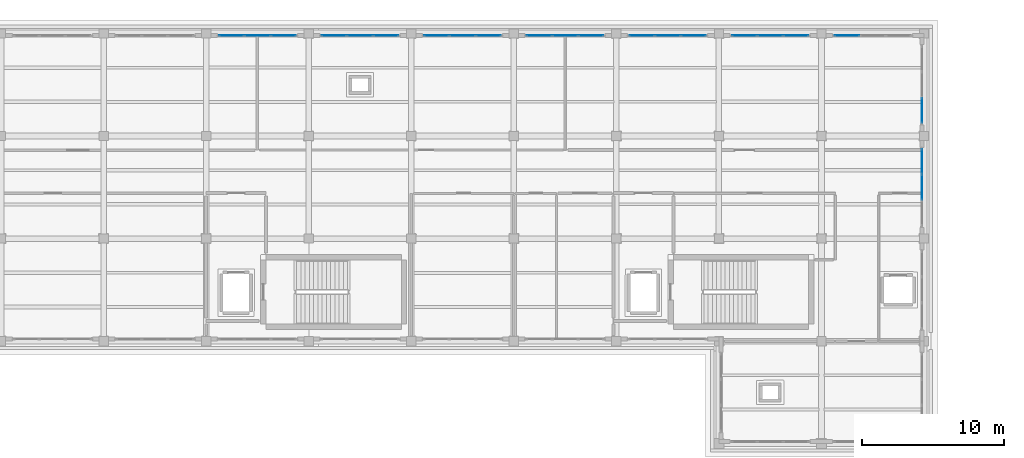
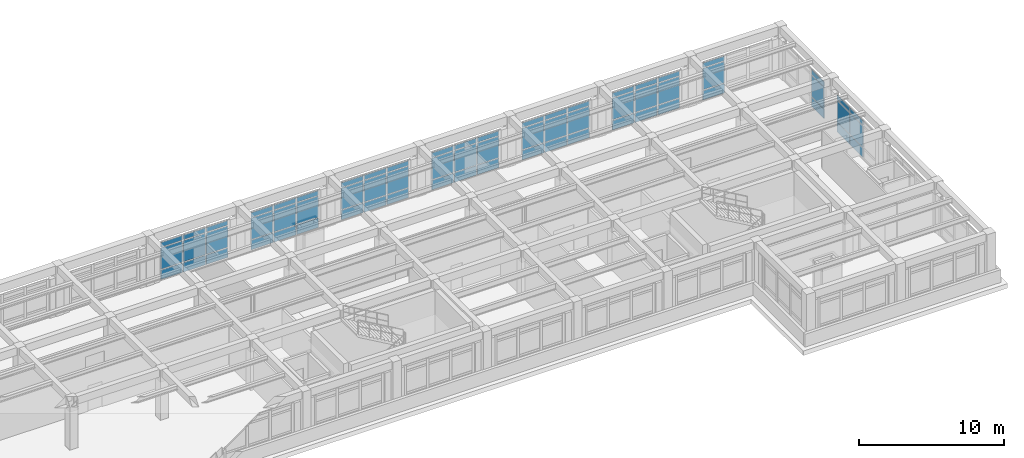
# One storey, part 41 of 55: 66 plates, 9 elements without a shape of their own.
"""IFC4 building model written with IfcOpenShell, lengths in metres."""

from ifc_helpers import new_model, si_unit, direction, frame, origin, origin_2d, place, context, subcontext, project, spatial, rectangle, extrude, material, layer, layer_set, type_object, element, aggregate, save


model = new_model("IFC4")

# Units and contexts
model_context = context("Model", 3, precision=1e-05, world=origin(), true_north=direction((0.0, 1.0)))
body_context = subcontext(model_context, "Body", "Model", "MODEL_VIEW")
ifc_project = project(units=[si_unit("LENGTHUNIT", "METRE"), si_unit("AREAUNIT", "SQUARE_METRE"), si_unit("VOLUMEUNIT", "CUBIC_METRE"), si_unit("PLANEANGLEUNIT", "RADIAN"), si_unit("MASSUNIT", "GRAM", prefix="KILO")], contexts=[model_context])

# Site, building, storey
site_placement = place(None, origin())
site = spatial("IfcSite", under=ifc_project, at=site_placement, CompositionType="ELEMENT")
building_placement = place(site_placement, origin())
building = spatial("IfcBuilding", under=site, at=building_placement, Name="Solenvale Faculty of Natural Sciences", CompositionType="ELEMENT")
storey_placement = place(building_placement, frame((0.0, 0.0, 22.5)))
storey = spatial("IfcBuildingStorey", under=building, at=storey_placement, Name="L05", CompositionType="ELEMENT", Elevation=22.5)

# Curtain wall, plates
ifc_material_1 = material(Name="Anodised bronze aluminium", Category="aluminium")
ifc_layer_1 = layer(ifc_material_1, 0.179931640625)
ifc_layer_set_1 = layer_set([ifc_layer_1], Name="Anodised bronze aluminium")
curtain_wall_type = type_object("IfcCurtainWallType", Name="CW-TWR-MOD", PredefinedType="USERDEFINED", material=ifc_layer_set_1)
curtain_wall_1_placement = place(storey_placement, origin())
curtain_wall_1 = element("IfcCurtainWall", 1, at=curtain_wall_1_placement, inside=storey, type_object=curtain_wall_type, Name="L05 Curtain Wall CW-L05-P2-E3-B7", ObjectType="UNITISED CURTAIN WALL", PredefinedType="USERDEFINED")
ifc_material_2 = material(Name="North-light skylight glass", Category="glass")
ifc_layer_2 = layer(ifc_material_2, 0.028076171875)
ifc_layer_set_2 = layer_set([ifc_layer_2], Name="North-light skylight glass")
plate_type_1 = type_object("IfcPlateType", Name="CWP-PNL-28", PredefinedType="CURTAIN_PANEL", material=ifc_layer_set_2)
plate_1_placement = place(storey_placement, frame((106.214599609375, 115.0576171875, 0.074951171875), z_axis=(0.0, 0.0, 1.0), x_axis=(-1.0, 0.0, 0.0)))
plate_1 = element("IfcPlate", 2, at=plate_1_placement, type_object=plate_type_1, Name="CW-04 panel 1.1", PredefinedType="CURTAIN_PANEL", context=body_context, shape_type="SweptSolid", body=[
    extrude(rectangle(XDim=1.720947265625, YDim=0.028076171875, at=origin_2d()), origin(), (0.0, 0.0, 1.0), 0.78759765625),
])
plate_2_placement = place(storey_placement, frame((106.214599609375, 115.0576171875, 0.9375), z_axis=(0.0, 0.0, 1.0), x_axis=(-1.0, 0.0, 0.0)))
plate_2 = element("IfcPlate", 3, at=plate_2_placement, type_object=plate_type_1, Name="CW-04 panel 1.2", PredefinedType="CURTAIN_PANEL", context=body_context, shape_type="SweptSolid", body=[
    extrude(rectangle(XDim=1.720947265625, YDim=0.028076171875, at=origin_2d()), origin(), (0.0, 0.0, 1.0), 1.784912109375),
])
plate_3_placement = place(storey_placement, frame((106.214599609375, 115.0576171875, 2.79736328125), z_axis=(0.0, 0.0, 1.0), x_axis=(-1.0, 0.0, 0.0)))
plate_3 = element("IfcPlate", 4, at=plate_3_placement, type_object=plate_type_1, Name="CW-04 panel 1.3", PredefinedType="CURTAIN_PANEL", context=body_context, shape_type="SweptSolid", body=[
    extrude(rectangle(XDim=1.720947265625, YDim=0.028076171875, at=origin_2d()), origin(), (0.0, 0.0, 1.0), 0.387451171875),
])
plate_4_placement = place(storey_placement, frame((104.39990234375, 115.0576171875, 0.074951171875), z_axis=(0.0, 0.0, 1.0), x_axis=(-1.0, 0.0, 0.0)))
plate_4 = element("IfcPlate", 5, at=plate_4_placement, type_object=plate_type_1, Name="CW-04 panel 2.1", PredefinedType="CURTAIN_PANEL", context=body_context, shape_type="SweptSolid", body=[
    extrude(rectangle(XDim=1.75830078125, YDim=0.028076171875, at=origin_2d()), origin(), (0.0, 0.0, 1.0), 0.78759765625),
])
plate_5_placement = place(storey_placement, frame((104.39990234375, 115.0576171875, 0.9375), z_axis=(0.0, 0.0, 1.0), x_axis=(-1.0, 0.0, 0.0)))
plate_5 = element("IfcPlate", 6, at=plate_5_placement, type_object=plate_type_1, Name="CW-04 panel 2.2", PredefinedType="CURTAIN_PANEL", context=body_context, shape_type="SweptSolid", body=[
    extrude(rectangle(XDim=1.75830078125, YDim=0.028076171875, at=origin_2d()), origin(), (0.0, 0.0, 1.0), 1.784912109375),
])
plate_6_placement = place(storey_placement, frame((104.39990234375, 115.0576171875, 2.79736328125), z_axis=(0.0, 0.0, 1.0), x_axis=(-1.0, 0.0, 0.0)))
plate_6 = element("IfcPlate", 7, at=plate_6_placement, type_object=plate_type_1, Name="CW-04 panel 2.3", PredefinedType="CURTAIN_PANEL", context=body_context, shape_type="SweptSolid", body=[
    extrude(rectangle(XDim=1.75830078125, YDim=0.028076171875, at=origin_2d()), origin(), (0.0, 0.0, 1.0), 0.387451171875),
])
plate_7_placement = place(storey_placement, frame((102.58544921875, 115.0576171875, 0.074951171875), z_axis=(0.0, 0.0, 1.0), x_axis=(-1.0, 0.0, 0.0)))
plate_7 = element("IfcPlate", 8, at=plate_7_placement, type_object=plate_type_1, Name="CW-04 panel 3.1", PredefinedType="CURTAIN_PANEL", context=body_context, shape_type="SweptSolid", body=[
    extrude(rectangle(XDim=1.720947265625, YDim=0.028076171875, at=origin_2d()), origin(), (0.0, 0.0, 1.0), 0.78759765625),
])
plate_8_placement = place(storey_placement, frame((102.58544921875, 115.0576171875, 0.9375), z_axis=(0.0, 0.0, 1.0), x_axis=(-1.0, 0.0, 0.0)))
plate_8 = element("IfcPlate", 9, at=plate_8_placement, type_object=plate_type_1, Name="CW-04 panel 3.2", PredefinedType="CURTAIN_PANEL", context=body_context, shape_type="SweptSolid", body=[
    extrude(rectangle(XDim=1.720947265625, YDim=0.028076171875, at=origin_2d()), origin(), (0.0, 0.0, 1.0), 1.784912109375),
])
plate_9_placement = place(storey_placement, frame((102.58544921875, 115.0576171875, 2.79736328125), z_axis=(0.0, 0.0, 1.0), x_axis=(-1.0, 0.0, 0.0)))
plate_9 = element("IfcPlate", 10, at=plate_9_placement, type_object=plate_type_1, Name="CW-04 panel 3.3", PredefinedType="CURTAIN_PANEL", context=body_context, shape_type="SweptSolid", body=[
    extrude(rectangle(XDim=1.720947265625, YDim=0.028076171875, at=origin_2d()), origin(), (0.0, 0.0, 1.0), 0.387451171875),
])
aggregate(curtain_wall_1, [plate_1, plate_2, plate_3, plate_4, plate_5, plate_6, plate_7, plate_8, plate_9])

curtain_wall_2_placement = place(storey_placement, origin())
curtain_wall_2 = element("IfcCurtainWall", 11, at=curtain_wall_2_placement, inside=storey, type_object=curtain_wall_type, Name="L05 Curtain Wall CW-L05-P2-E2-B2", ObjectType="UNITISED CURTAIN WALL", PredefinedType="USERDEFINED")
ifc_material_3 = material(Name="Triple low-E insulated glass", Category="glass")
ifc_layer_3 = layer(ifc_material_3, 0.035888671875)
ifc_layer_set_3 = layer_set([ifc_layer_3], Name="Triple low-E insulated glass")
plate_type_2 = type_object("IfcPlateType", Name="CWP-PNL-36", PredefinedType="CURTAIN_PANEL", material=ifc_layer_set_3)
plate_10_placement = place(storey_placement, frame((151.0576171875, 104.39990234375, 0.074951171875), z_axis=(0.0, 0.0, 1.0), x_axis=(0.0, 1.0, 0.0)))
plate_10 = element("IfcPlate", 12, at=plate_10_placement, type_object=plate_type_2, Name="CW-04 panel 2.1", PredefinedType="CURTAIN_PANEL", context=body_context, shape_type="SweptSolid", body=[
    extrude(rectangle(XDim=1.75830078125, YDim=0.035888671875, at=origin_2d()), origin(), (0.0, 0.0, 1.0), 0.78759765625),
])
plate_11_placement = place(storey_placement, frame((151.0576171875, 104.39990234375, 0.9375), z_axis=(0.0, 0.0, 1.0), x_axis=(0.0, 1.0, 0.0)))
plate_11 = element("IfcPlate", 13, at=plate_11_placement, type_object=plate_type_2, Name="CW-04 panel 2.2", PredefinedType="CURTAIN_PANEL", context=body_context, shape_type="SweptSolid", body=[
    extrude(rectangle(XDim=1.75830078125, YDim=0.035888671875, at=origin_2d()), origin(), (0.0, 0.0, 1.0), 1.784912109375),
])
plate_12_placement = place(storey_placement, frame((151.0576171875, 104.39990234375, 2.79736328125), z_axis=(0.0, 0.0, 1.0), x_axis=(0.0, 1.0, 0.0)))
plate_12 = element("IfcPlate", 14, at=plate_12_placement, type_object=plate_type_2, Name="CW-04 panel 2.3", PredefinedType="CURTAIN_PANEL", context=body_context, shape_type="SweptSolid", body=[
    extrude(rectangle(XDim=1.75830078125, YDim=0.035888671875, at=origin_2d()), origin(), (0.0, 0.0, 1.0), 0.387451171875),
])
plate_13_placement = place(storey_placement, frame((151.0576171875, 106.214599609375, 0.074951171875), z_axis=(0.0, 0.0, 1.0), x_axis=(0.0, 1.0, 0.0)))
plate_13 = element("IfcPlate", 15, at=plate_13_placement, type_object=plate_type_2, Name="CW-04 panel 3.1", PredefinedType="CURTAIN_PANEL", context=body_context, shape_type="SweptSolid", body=[
    extrude(rectangle(XDim=1.720947265625, YDim=0.035888671875, at=origin_2d()), origin(), (0.0, 0.0, 1.0), 0.78759765625),
])
plate_14_placement = place(storey_placement, frame((151.0576171875, 106.214599609375, 0.9375), z_axis=(0.0, 0.0, 1.0), x_axis=(0.0, 1.0, 0.0)))
plate_14 = element("IfcPlate", 16, at=plate_14_placement, type_object=plate_type_2, Name="CW-04 panel 3.2", PredefinedType="CURTAIN_PANEL", context=body_context, shape_type="SweptSolid", body=[
    extrude(rectangle(XDim=1.720947265625, YDim=0.035888671875, at=origin_2d()), origin(), (0.0, 0.0, 1.0), 1.784912109375),
])
plate_15_placement = place(storey_placement, frame((151.0576171875, 106.214599609375, 2.79736328125), z_axis=(0.0, 0.0, 1.0), x_axis=(0.0, 1.0, 0.0)))
plate_15 = element("IfcPlate", 17, at=plate_15_placement, type_object=plate_type_2, Name="CW-04 panel 3.3", PredefinedType="CURTAIN_PANEL", context=body_context, shape_type="SweptSolid", body=[
    extrude(rectangle(XDim=1.720947265625, YDim=0.035888671875, at=origin_2d()), origin(), (0.0, 0.0, 1.0), 0.387451171875),
])
aggregate(curtain_wall_2, [plate_10, plate_11, plate_12, plate_13, plate_14, plate_15])

curtain_wall_3_placement = place(storey_placement, origin())
curtain_wall_3 = element("IfcCurtainWall", 18, at=curtain_wall_3_placement, inside=storey, type_object=curtain_wall_type, Name="L05 Curtain Wall CW-L05-P2-E3-B1", ObjectType="UNITISED CURTAIN WALL", PredefinedType="USERDEFINED")
plate_16_placement = place(storey_placement, frame((145.785400390625, 115.0576171875, 0.074951171875), z_axis=(0.0, 0.0, 1.0), x_axis=(-1.0, 0.0, 0.0)))
plate_16 = element("IfcPlate", 19, at=plate_16_placement, type_object=plate_type_2, Name="CW-04 panel 3.1", PredefinedType="CURTAIN_PANEL", context=body_context, shape_type="SweptSolid", body=[
    extrude(rectangle(XDim=1.720947265625, YDim=0.035888671875, at=origin_2d()), origin(), (0.0, 0.0, 1.0), 0.78759765625),
])
plate_17_placement = place(storey_placement, frame((145.785400390625, 115.0576171875, 0.9375), z_axis=(0.0, 0.0, 1.0), x_axis=(-1.0, 0.0, 0.0)))
plate_17 = element("IfcPlate", 20, at=plate_17_placement, type_object=plate_type_2, Name="CW-04 panel 3.2", PredefinedType="CURTAIN_PANEL", context=body_context, shape_type="SweptSolid", body=[
    extrude(rectangle(XDim=1.720947265625, YDim=0.035888671875, at=origin_2d()), origin(), (0.0, 0.0, 1.0), 1.784912109375),
])
plate_18_placement = place(storey_placement, frame((145.785400390625, 115.0576171875, 2.79736328125), z_axis=(0.0, 0.0, 1.0), x_axis=(-1.0, 0.0, 0.0)))
plate_18 = element("IfcPlate", 21, at=plate_18_placement, type_object=plate_type_2, Name="CW-04 panel 3.3", PredefinedType="CURTAIN_PANEL", context=body_context, shape_type="SweptSolid", body=[
    extrude(rectangle(XDim=1.720947265625, YDim=0.035888671875, at=origin_2d()), origin(), (0.0, 0.0, 1.0), 0.387451171875),
])
aggregate(curtain_wall_3, [plate_16, plate_17, plate_18])

curtain_wall_4_placement = place(storey_placement, origin())
curtain_wall_4 = element("IfcCurtainWall", 22, at=curtain_wall_4_placement, inside=storey, type_object=curtain_wall_type, Name="L05 Curtain Wall CW-L05-P2-E2-B3", ObjectType="UNITISED CURTAIN WALL", PredefinedType="USERDEFINED")
ifc_layer_4 = layer(ifc_material_3, 0.0400390625)
ifc_layer_set_4 = layer_set([ifc_layer_4], Name="Triple low-E insulated glass")
plate_type_3 = type_object("IfcPlateType", Name="CWP-PNL-40", PredefinedType="CURTAIN_PANEL", material=ifc_layer_set_4)
plate_19_placement = place(storey_placement, frame((151.0576171875, 109.785400390625, 0.074951171875), z_axis=(0.0, 0.0, 1.0), x_axis=(0.0, 1.0, 0.0)))
plate_19 = element("IfcPlate", 23, at=plate_19_placement, type_object=plate_type_3, Name="CW-04 panel 1.1", PredefinedType="CURTAIN_PANEL", context=body_context, shape_type="SweptSolid", body=[
    extrude(rectangle(XDim=1.720947265625, YDim=0.0400390625, at=origin_2d()), origin(), (0.0, 0.0, 1.0), 0.78759765625),
])
plate_20_placement = place(storey_placement, frame((151.0576171875, 109.785400390625, 0.9375), z_axis=(0.0, 0.0, 1.0), x_axis=(0.0, 1.0, 0.0)))
plate_20 = element("IfcPlate", 24, at=plate_20_placement, type_object=plate_type_3, Name="CW-04 panel 1.2", PredefinedType="CURTAIN_PANEL", context=body_context, shape_type="SweptSolid", body=[
    extrude(rectangle(XDim=1.720947265625, YDim=0.0400390625, at=origin_2d()), origin(), (0.0, 0.0, 1.0), 1.784912109375),
])
plate_21_placement = place(storey_placement, frame((151.0576171875, 109.785400390625, 2.79736328125), z_axis=(0.0, 0.0, 1.0), x_axis=(0.0, 1.0, 0.0)))
plate_21 = element("IfcPlate", 25, at=plate_21_placement, type_object=plate_type_3, Name="CW-04 panel 1.3", PredefinedType="CURTAIN_PANEL", context=body_context, shape_type="SweptSolid", body=[
    extrude(rectangle(XDim=1.720947265625, YDim=0.0400390625, at=origin_2d()), origin(), (0.0, 0.0, 1.0), 0.387451171875),
])
aggregate(curtain_wall_4, [plate_19, plate_20, plate_21])

curtain_wall_5_placement = place(storey_placement, origin())
curtain_wall_5 = element("IfcCurtainWall", 26, at=curtain_wall_5_placement, inside=storey, type_object=curtain_wall_type, Name="L05 Curtain Wall CW-L05-P2-E3-B2", ObjectType="UNITISED CURTAIN WALL", PredefinedType="USERDEFINED")
plate_22_placement = place(storey_placement, frame((142.214599609375, 115.0576171875, 0.074951171875), z_axis=(0.0, 0.0, 1.0), x_axis=(-1.0, 0.0, 0.0)))
plate_22 = element("IfcPlate", 27, at=plate_22_placement, type_object=plate_type_3, Name="CW-04 panel 1.1", PredefinedType="CURTAIN_PANEL", context=body_context, shape_type="SweptSolid", body=[
    extrude(rectangle(XDim=1.720947265625, YDim=0.0400390625, at=origin_2d()), origin(), (0.0, 0.0, 1.0), 0.78759765625),
])
plate_23_placement = place(storey_placement, frame((142.214599609375, 115.0576171875, 0.9375), z_axis=(0.0, 0.0, 1.0), x_axis=(-1.0, 0.0, 0.0)))
plate_23 = element("IfcPlate", 28, at=plate_23_placement, type_object=plate_type_3, Name="CW-04 panel 1.2", PredefinedType="CURTAIN_PANEL", context=body_context, shape_type="SweptSolid", body=[
    extrude(rectangle(XDim=1.720947265625, YDim=0.0400390625, at=origin_2d()), origin(), (0.0, 0.0, 1.0), 1.784912109375),
])
plate_24_placement = place(storey_placement, frame((142.214599609375, 115.0576171875, 2.79736328125), z_axis=(0.0, 0.0, 1.0), x_axis=(-1.0, 0.0, 0.0)))
plate_24 = element("IfcPlate", 29, at=plate_24_placement, type_object=plate_type_3, Name="CW-04 panel 1.3", PredefinedType="CURTAIN_PANEL", context=body_context, shape_type="SweptSolid", body=[
    extrude(rectangle(XDim=1.720947265625, YDim=0.0400390625, at=origin_2d()), origin(), (0.0, 0.0, 1.0), 0.387451171875),
])
plate_25_placement = place(storey_placement, frame((140.39990234375, 115.0576171875, 0.074951171875), z_axis=(0.0, 0.0, 1.0), x_axis=(-1.0, 0.0, 0.0)))
plate_25 = element("IfcPlate", 30, at=plate_25_placement, type_object=plate_type_3, Name="CW-04 panel 2.1", PredefinedType="CURTAIN_PANEL", context=body_context, shape_type="SweptSolid", body=[
    extrude(rectangle(XDim=1.75830078125, YDim=0.0400390625, at=origin_2d()), origin(), (0.0, 0.0, 1.0), 0.78759765625),
])
plate_26_placement = place(storey_placement, frame((140.39990234375, 115.0576171875, 0.9375), z_axis=(0.0, 0.0, 1.0), x_axis=(-1.0, 0.0, 0.0)))
plate_26 = element("IfcPlate", 31, at=plate_26_placement, type_object=plate_type_3, Name="CW-04 panel 2.2", PredefinedType="CURTAIN_PANEL", context=body_context, shape_type="SweptSolid", body=[
    extrude(rectangle(XDim=1.75830078125, YDim=0.0400390625, at=origin_2d()), origin(), (0.0, 0.0, 1.0), 1.784912109375),
])
plate_27_placement = place(storey_placement, frame((140.39990234375, 115.0576171875, 2.79736328125), z_axis=(0.0, 0.0, 1.0), x_axis=(-1.0, 0.0, 0.0)))
plate_27 = element("IfcPlate", 32, at=plate_27_placement, type_object=plate_type_3, Name="CW-04 panel 2.3", PredefinedType="CURTAIN_PANEL", context=body_context, shape_type="SweptSolid", body=[
    extrude(rectangle(XDim=1.75830078125, YDim=0.0400390625, at=origin_2d()), origin(), (0.0, 0.0, 1.0), 0.387451171875),
])
plate_28_placement = place(storey_placement, frame((138.58544921875, 115.0576171875, 0.074951171875), z_axis=(0.0, 0.0, 1.0), x_axis=(-1.0, 0.0, 0.0)))
plate_28 = element("IfcPlate", 33, at=plate_28_placement, type_object=plate_type_3, Name="CW-04 panel 3.1", PredefinedType="CURTAIN_PANEL", context=body_context, shape_type="SweptSolid", body=[
    extrude(rectangle(XDim=1.720947265625, YDim=0.0400390625, at=origin_2d()), origin(), (0.0, 0.0, 1.0), 0.78759765625),
])
plate_29_placement = place(storey_placement, frame((138.58544921875, 115.0576171875, 0.9375), z_axis=(0.0, 0.0, 1.0), x_axis=(-1.0, 0.0, 0.0)))
plate_29 = element("IfcPlate", 34, at=plate_29_placement, type_object=plate_type_3, Name="CW-04 panel 3.2", PredefinedType="CURTAIN_PANEL", context=body_context, shape_type="SweptSolid", body=[
    extrude(rectangle(XDim=1.720947265625, YDim=0.0400390625, at=origin_2d()), origin(), (0.0, 0.0, 1.0), 1.784912109375),
])
plate_30_placement = place(storey_placement, frame((138.58544921875, 115.0576171875, 2.79736328125), z_axis=(0.0, 0.0, 1.0), x_axis=(-1.0, 0.0, 0.0)))
plate_30 = element("IfcPlate", 35, at=plate_30_placement, type_object=plate_type_3, Name="CW-04 panel 3.3", PredefinedType="CURTAIN_PANEL", context=body_context, shape_type="SweptSolid", body=[
    extrude(rectangle(XDim=1.720947265625, YDim=0.0400390625, at=origin_2d()), origin(), (0.0, 0.0, 1.0), 0.387451171875),
])
aggregate(curtain_wall_5, [plate_22, plate_23, plate_24, plate_25, plate_26, plate_27, plate_28, plate_29, plate_30])

curtain_wall_6_placement = place(storey_placement, origin())
curtain_wall_6 = element("IfcCurtainWall", 36, at=curtain_wall_6_placement, inside=storey, type_object=curtain_wall_type, Name="L05 Curtain Wall CW-L05-P2-E3-B3", ObjectType="UNITISED CURTAIN WALL", PredefinedType="USERDEFINED")
ifc_layer_5 = layer(ifc_material_3, 0.0439453125)
ifc_layer_set_5 = layer_set([ifc_layer_5], Name="Triple low-E insulated glass")
plate_type_4 = type_object("IfcPlateType", Name="CWP-PNL-44", PredefinedType="CURTAIN_PANEL", material=ifc_layer_set_5)
plate_31_placement = place(storey_placement, frame((135.0146484375, 115.0576171875, 0.074951171875), z_axis=(0.0, 0.0, 1.0), x_axis=(-1.0, 0.0, 0.0)))
plate_31 = element("IfcPlate", 37, at=plate_31_placement, type_object=plate_type_4, Name="CW-04 panel 1.1", PredefinedType="CURTAIN_PANEL", context=body_context, shape_type="SweptSolid", body=[
    extrude(rectangle(XDim=1.720947265625, YDim=0.0439453125, at=origin_2d()), origin(), (0.0, 0.0, 1.0), 0.78759765625),
])
plate_32_placement = place(storey_placement, frame((135.0146484375, 115.0576171875, 0.9375), z_axis=(0.0, 0.0, 1.0), x_axis=(-1.0, 0.0, 0.0)))
plate_32 = element("IfcPlate", 38, at=plate_32_placement, type_object=plate_type_4, Name="CW-04 panel 1.2", PredefinedType="CURTAIN_PANEL", context=body_context, shape_type="SweptSolid", body=[
    extrude(rectangle(XDim=1.720947265625, YDim=0.0439453125, at=origin_2d()), origin(), (0.0, 0.0, 1.0), 1.784912109375),
])
plate_33_placement = place(storey_placement, frame((135.0146484375, 115.0576171875, 2.79736328125), z_axis=(0.0, 0.0, 1.0), x_axis=(-1.0, 0.0, 0.0)))
plate_33 = element("IfcPlate", 39, at=plate_33_placement, type_object=plate_type_4, Name="CW-04 panel 1.3", PredefinedType="CURTAIN_PANEL", context=body_context, shape_type="SweptSolid", body=[
    extrude(rectangle(XDim=1.720947265625, YDim=0.0439453125, at=origin_2d()), origin(), (0.0, 0.0, 1.0), 0.387451171875),
])
plate_34_placement = place(storey_placement, frame((133.199951171875, 115.0576171875, 0.074951171875), z_axis=(0.0, 0.0, 1.0), x_axis=(-1.0, 0.0, 0.0)))
plate_34 = element("IfcPlate", 40, at=plate_34_placement, type_object=plate_type_4, Name="CW-04 panel 2.1", PredefinedType="CURTAIN_PANEL", context=body_context, shape_type="SweptSolid", body=[
    extrude(rectangle(XDim=1.75830078125, YDim=0.0439453125, at=origin_2d()), origin(), (0.0, 0.0, 1.0), 0.78759765625),
])
plate_35_placement = place(storey_placement, frame((133.199951171875, 115.0576171875, 0.9375), z_axis=(0.0, 0.0, 1.0), x_axis=(-1.0, 0.0, 0.0)))
plate_35 = element("IfcPlate", 41, at=plate_35_placement, type_object=plate_type_4, Name="CW-04 panel 2.2", PredefinedType="CURTAIN_PANEL", context=body_context, shape_type="SweptSolid", body=[
    extrude(rectangle(XDim=1.75830078125, YDim=0.0439453125, at=origin_2d()), origin(), (0.0, 0.0, 1.0), 1.784912109375),
])
plate_36_placement = place(storey_placement, frame((133.199951171875, 115.0576171875, 2.79736328125), z_axis=(0.0, 0.0, 1.0), x_axis=(-1.0, 0.0, 0.0)))
plate_36 = element("IfcPlate", 42, at=plate_36_placement, type_object=plate_type_4, Name="CW-04 panel 2.3", PredefinedType="CURTAIN_PANEL", context=body_context, shape_type="SweptSolid", body=[
    extrude(rectangle(XDim=1.75830078125, YDim=0.0439453125, at=origin_2d()), origin(), (0.0, 0.0, 1.0), 0.387451171875),
])
plate_37_placement = place(storey_placement, frame((131.385498046875, 115.0576171875, 0.074951171875), z_axis=(0.0, 0.0, 1.0), x_axis=(-1.0, 0.0, 0.0)))
plate_37 = element("IfcPlate", 43, at=plate_37_placement, type_object=plate_type_4, Name="CW-04 panel 3.1", PredefinedType="CURTAIN_PANEL", context=body_context, shape_type="SweptSolid", body=[
    extrude(rectangle(XDim=1.720947265625, YDim=0.0439453125, at=origin_2d()), origin(), (0.0, 0.0, 1.0), 0.78759765625),
])
plate_38_placement = place(storey_placement, frame((131.385498046875, 115.0576171875, 0.9375), z_axis=(0.0, 0.0, 1.0), x_axis=(-1.0, 0.0, 0.0)))
plate_38 = element("IfcPlate", 44, at=plate_38_placement, type_object=plate_type_4, Name="CW-04 panel 3.2", PredefinedType="CURTAIN_PANEL", context=body_context, shape_type="SweptSolid", body=[
    extrude(rectangle(XDim=1.720947265625, YDim=0.0439453125, at=origin_2d()), origin(), (0.0, 0.0, 1.0), 1.784912109375),
])
plate_39_placement = place(storey_placement, frame((131.385498046875, 115.0576171875, 2.79736328125), z_axis=(0.0, 0.0, 1.0), x_axis=(-1.0, 0.0, 0.0)))
plate_39 = element("IfcPlate", 45, at=plate_39_placement, type_object=plate_type_4, Name="CW-04 panel 3.3", PredefinedType="CURTAIN_PANEL", context=body_context, shape_type="SweptSolid", body=[
    extrude(rectangle(XDim=1.720947265625, YDim=0.0439453125, at=origin_2d()), origin(), (0.0, 0.0, 1.0), 0.387451171875),
])
aggregate(curtain_wall_6, [plate_31, plate_32, plate_33, plate_34, plate_35, plate_36, plate_37, plate_38, plate_39])

curtain_wall_7_placement = place(storey_placement, origin())
curtain_wall_7 = element("IfcCurtainWall", 46, at=curtain_wall_7_placement, inside=storey, type_object=curtain_wall_type, Name="L05 Curtain Wall CW-L05-P2-E3-B4", ObjectType="UNITISED CURTAIN WALL", PredefinedType="USERDEFINED")
ifc_layer_6 = layer(ifc_material_1, 0.048095703125)
ifc_layer_set_6 = layer_set([ifc_layer_6], Name="Anodised bronze aluminium")
plate_type_5 = type_object("IfcPlateType", Name="CWP-PNL-48", PredefinedType="CURTAIN_PANEL", material=ifc_layer_set_6)
plate_40_placement = place(storey_placement, frame((127.814697265625, 115.0576171875, 0.074951171875), z_axis=(0.0, 0.0, 1.0), x_axis=(-1.0, 0.0, 0.0)))
plate_40 = element("IfcPlate", 47, at=plate_40_placement, type_object=plate_type_5, Name="CW-04 panel 1.1", PredefinedType="CURTAIN_PANEL", context=body_context, shape_type="SweptSolid", body=[
    extrude(rectangle(XDim=1.720947265625, YDim=0.048095703125, at=origin_2d()), origin(), (0.0, 0.0, 1.0), 0.78759765625),
])
plate_41_placement = place(storey_placement, frame((127.814697265625, 115.0576171875, 0.9375), z_axis=(0.0, 0.0, 1.0), x_axis=(-1.0, 0.0, 0.0)))
plate_41 = element("IfcPlate", 48, at=plate_41_placement, type_object=plate_type_5, Name="CW-04 panel 1.2", PredefinedType="CURTAIN_PANEL", context=body_context, shape_type="SweptSolid", body=[
    extrude(rectangle(XDim=1.720947265625, YDim=0.048095703125, at=origin_2d()), origin(), (0.0, 0.0, 1.0), 1.784912109375),
])
plate_42_placement = place(storey_placement, frame((127.814697265625, 115.0576171875, 2.79736328125), z_axis=(0.0, 0.0, 1.0), x_axis=(-1.0, 0.0, 0.0)))
plate_42 = element("IfcPlate", 49, at=plate_42_placement, type_object=plate_type_5, Name="CW-04 panel 1.3", PredefinedType="CURTAIN_PANEL", context=body_context, shape_type="SweptSolid", body=[
    extrude(rectangle(XDim=1.720947265625, YDim=0.048095703125, at=origin_2d()), origin(), (0.0, 0.0, 1.0), 0.387451171875),
])
plate_43_placement = place(storey_placement, frame((126.0, 115.0576171875, 0.074951171875), z_axis=(0.0, 0.0, 1.0), x_axis=(-1.0, 0.0, 0.0)))
plate_43 = element("IfcPlate", 50, at=plate_43_placement, type_object=plate_type_5, Name="CW-04 panel 2.1", PredefinedType="CURTAIN_PANEL", context=body_context, shape_type="SweptSolid", body=[
    extrude(rectangle(XDim=1.75830078125, YDim=0.048095703125, at=origin_2d()), origin(), (0.0, 0.0, 1.0), 0.78759765625),
])
plate_44_placement = place(storey_placement, frame((126.0, 115.0576171875, 0.9375), z_axis=(0.0, 0.0, 1.0), x_axis=(-1.0, 0.0, 0.0)))
plate_44 = element("IfcPlate", 51, at=plate_44_placement, type_object=plate_type_5, Name="CW-04 panel 2.2", PredefinedType="CURTAIN_PANEL", context=body_context, shape_type="SweptSolid", body=[
    extrude(rectangle(XDim=1.75830078125, YDim=0.048095703125, at=origin_2d()), origin(), (0.0, 0.0, 1.0), 1.784912109375),
])
plate_45_placement = place(storey_placement, frame((126.0, 115.0576171875, 2.79736328125), z_axis=(0.0, 0.0, 1.0), x_axis=(-1.0, 0.0, 0.0)))
plate_45 = element("IfcPlate", 52, at=plate_45_placement, type_object=plate_type_5, Name="CW-04 panel 2.3", PredefinedType="CURTAIN_PANEL", context=body_context, shape_type="SweptSolid", body=[
    extrude(rectangle(XDim=1.75830078125, YDim=0.048095703125, at=origin_2d()), origin(), (0.0, 0.0, 1.0), 0.387451171875),
])
plate_46_placement = place(storey_placement, frame((124.185302734375, 115.0576171875, 0.074951171875), z_axis=(0.0, 0.0, 1.0), x_axis=(-1.0, 0.0, 0.0)))
plate_46 = element("IfcPlate", 53, at=plate_46_placement, type_object=plate_type_5, Name="CW-04 panel 3.1", PredefinedType="CURTAIN_PANEL", context=body_context, shape_type="SweptSolid", body=[
    extrude(rectangle(XDim=1.720947265625, YDim=0.048095703125, at=origin_2d()), origin(), (0.0, 0.0, 1.0), 0.78759765625),
])
plate_47_placement = place(storey_placement, frame((124.185302734375, 115.0576171875, 0.9375), z_axis=(0.0, 0.0, 1.0), x_axis=(-1.0, 0.0, 0.0)))
plate_47 = element("IfcPlate", 54, at=plate_47_placement, type_object=plate_type_5, Name="CW-04 panel 3.2", PredefinedType="CURTAIN_PANEL", context=body_context, shape_type="SweptSolid", body=[
    extrude(rectangle(XDim=1.720947265625, YDim=0.048095703125, at=origin_2d()), origin(), (0.0, 0.0, 1.0), 1.784912109375),
])
plate_48_placement = place(storey_placement, frame((124.185302734375, 115.0576171875, 2.79736328125), z_axis=(0.0, 0.0, 1.0), x_axis=(-1.0, 0.0, 0.0)))
plate_48 = element("IfcPlate", 55, at=plate_48_placement, type_object=plate_type_5, Name="CW-04 panel 3.3", PredefinedType="CURTAIN_PANEL", context=body_context, shape_type="SweptSolid", body=[
    extrude(rectangle(XDim=1.720947265625, YDim=0.048095703125, at=origin_2d()), origin(), (0.0, 0.0, 1.0), 0.387451171875),
])
aggregate(curtain_wall_7, [plate_40, plate_41, plate_42, plate_43, plate_44, plate_45, plate_46, plate_47, plate_48])

curtain_wall_8_placement = place(storey_placement, origin())
curtain_wall_8 = element("IfcCurtainWall", 56, at=curtain_wall_8_placement, inside=storey, type_object=curtain_wall_type, Name="L05 Curtain Wall CW-L05-P2-E3-B5", ObjectType="UNITISED CURTAIN WALL", PredefinedType="USERDEFINED")
ifc_layer_7 = layer(ifc_material_1, 0.053955078125)
ifc_layer_set_7 = layer_set([ifc_layer_7], Name="Anodised bronze aluminium")
plate_type_6 = type_object("IfcPlateType", Name="CWP-PNL-54", PredefinedType="CURTAIN_PANEL", material=ifc_layer_set_7)
plate_49_placement = place(storey_placement, frame((120.614501953125, 115.0576171875, 0.074951171875), z_axis=(0.0, 0.0, 1.0), x_axis=(-1.0, 0.0, 0.0)))
plate_49 = element("IfcPlate", 57, at=plate_49_placement, type_object=plate_type_6, Name="CW-04 panel 1.1", PredefinedType="CURTAIN_PANEL", context=body_context, shape_type="SweptSolid", body=[
    extrude(rectangle(XDim=1.720947265625, YDim=0.053955078125, at=origin_2d()), origin(), (0.0, 0.0, 1.0), 0.78759765625),
])
plate_50_placement = place(storey_placement, frame((120.614501953125, 115.0576171875, 0.9375), z_axis=(0.0, 0.0, 1.0), x_axis=(-1.0, 0.0, 0.0)))
plate_50 = element("IfcPlate", 58, at=plate_50_placement, type_object=plate_type_6, Name="CW-04 panel 1.2", PredefinedType="CURTAIN_PANEL", context=body_context, shape_type="SweptSolid", body=[
    extrude(rectangle(XDim=1.720947265625, YDim=0.053955078125, at=origin_2d()), origin(), (0.0, 0.0, 1.0), 1.784912109375),
])
plate_51_placement = place(storey_placement, frame((120.614501953125, 115.0576171875, 2.79736328125), z_axis=(0.0, 0.0, 1.0), x_axis=(-1.0, 0.0, 0.0)))
plate_51 = element("IfcPlate", 59, at=plate_51_placement, type_object=plate_type_6, Name="CW-04 panel 1.3", PredefinedType="CURTAIN_PANEL", context=body_context, shape_type="SweptSolid", body=[
    extrude(rectangle(XDim=1.720947265625, YDim=0.053955078125, at=origin_2d()), origin(), (0.0, 0.0, 1.0), 0.387451171875),
])
plate_52_placement = place(storey_placement, frame((118.800048828125, 115.0576171875, 0.074951171875), z_axis=(0.0, 0.0, 1.0), x_axis=(-1.0, 0.0, 0.0)))
plate_52 = element("IfcPlate", 60, at=plate_52_placement, type_object=plate_type_6, Name="CW-04 panel 2.1", PredefinedType="CURTAIN_PANEL", context=body_context, shape_type="SweptSolid", body=[
    extrude(rectangle(XDim=1.75830078125, YDim=0.053955078125, at=origin_2d()), origin(), (0.0, 0.0, 1.0), 0.78759765625),
])
plate_53_placement = place(storey_placement, frame((118.800048828125, 115.0576171875, 0.9375), z_axis=(0.0, 0.0, 1.0), x_axis=(-1.0, 0.0, 0.0)))
plate_53 = element("IfcPlate", 61, at=plate_53_placement, type_object=plate_type_6, Name="CW-04 panel 2.2", PredefinedType="CURTAIN_PANEL", context=body_context, shape_type="SweptSolid", body=[
    extrude(rectangle(XDim=1.75830078125, YDim=0.053955078125, at=origin_2d()), origin(), (0.0, 0.0, 1.0), 1.784912109375),
])
plate_54_placement = place(storey_placement, frame((118.800048828125, 115.0576171875, 2.79736328125), z_axis=(0.0, 0.0, 1.0), x_axis=(-1.0, 0.0, 0.0)))
plate_54 = element("IfcPlate", 62, at=plate_54_placement, type_object=plate_type_6, Name="CW-04 panel 2.3", PredefinedType="CURTAIN_PANEL", context=body_context, shape_type="SweptSolid", body=[
    extrude(rectangle(XDim=1.75830078125, YDim=0.053955078125, at=origin_2d()), origin(), (0.0, 0.0, 1.0), 0.387451171875),
])
plate_55_placement = place(storey_placement, frame((116.9853515625, 115.0576171875, 0.074951171875), z_axis=(0.0, 0.0, 1.0), x_axis=(-1.0, 0.0, 0.0)))
plate_55 = element("IfcPlate", 63, at=plate_55_placement, type_object=plate_type_6, Name="CW-04 panel 3.1", PredefinedType="CURTAIN_PANEL", context=body_context, shape_type="SweptSolid", body=[
    extrude(rectangle(XDim=1.720947265625, YDim=0.053955078125, at=origin_2d()), origin(), (0.0, 0.0, 1.0), 0.78759765625),
])
plate_56_placement = place(storey_placement, frame((116.9853515625, 115.0576171875, 0.9375), z_axis=(0.0, 0.0, 1.0), x_axis=(-1.0, 0.0, 0.0)))
plate_56 = element("IfcPlate", 64, at=plate_56_placement, type_object=plate_type_6, Name="CW-04 panel 3.2", PredefinedType="CURTAIN_PANEL", context=body_context, shape_type="SweptSolid", body=[
    extrude(rectangle(XDim=1.720947265625, YDim=0.053955078125, at=origin_2d()), origin(), (0.0, 0.0, 1.0), 1.784912109375),
])
plate_57_placement = place(storey_placement, frame((116.9853515625, 115.0576171875, 2.79736328125), z_axis=(0.0, 0.0, 1.0), x_axis=(-1.0, 0.0, 0.0)))
plate_57 = element("IfcPlate", 65, at=plate_57_placement, type_object=plate_type_6, Name="CW-04 panel 3.3", PredefinedType="CURTAIN_PANEL", context=body_context, shape_type="SweptSolid", body=[
    extrude(rectangle(XDim=1.720947265625, YDim=0.053955078125, at=origin_2d()), origin(), (0.0, 0.0, 1.0), 0.387451171875),
])
aggregate(curtain_wall_8, [plate_49, plate_50, plate_51, plate_52, plate_53, plate_54, plate_55, plate_56, plate_57])

curtain_wall_9_placement = place(storey_placement, origin())
curtain_wall_9 = element("IfcCurtainWall", 66, at=curtain_wall_9_placement, inside=storey, type_object=curtain_wall_type, Name="L05 Curtain Wall CW-L05-P2-E3-B6", ObjectType="UNITISED CURTAIN WALL", PredefinedType="USERDEFINED")
ifc_layer_8 = layer(ifc_material_1, 0.06005859375)
ifc_layer_set_8 = layer_set([ifc_layer_8], Name="Anodised bronze aluminium")
plate_type_7 = type_object("IfcPlateType", Name="CWP-PNL-60", PredefinedType="CURTAIN_PANEL", material=ifc_layer_set_8)
plate_58_placement = place(storey_placement, frame((113.41455078125, 115.0576171875, 0.074951171875), z_axis=(0.0, 0.0, 1.0), x_axis=(-1.0, 0.0, 0.0)))
plate_58 = element("IfcPlate", 67, at=plate_58_placement, type_object=plate_type_7, Name="CW-04 panel 1.1", PredefinedType="CURTAIN_PANEL", context=body_context, shape_type="SweptSolid", body=[
    extrude(rectangle(XDim=1.720947265625, YDim=0.06005859375, at=origin_2d()), origin(), (0.0, 0.0, 1.0), 0.78759765625),
])
plate_59_placement = place(storey_placement, frame((113.41455078125, 115.0576171875, 0.9375), z_axis=(0.0, 0.0, 1.0), x_axis=(-1.0, 0.0, 0.0)))
plate_59 = element("IfcPlate", 68, at=plate_59_placement, type_object=plate_type_7, Name="CW-04 panel 1.2", PredefinedType="CURTAIN_PANEL", context=body_context, shape_type="SweptSolid", body=[
    extrude(rectangle(XDim=1.720947265625, YDim=0.06005859375, at=origin_2d()), origin(), (0.0, 0.0, 1.0), 1.784912109375),
])
plate_60_placement = place(storey_placement, frame((113.41455078125, 115.0576171875, 2.79736328125), z_axis=(0.0, 0.0, 1.0), x_axis=(-1.0, 0.0, 0.0)))
plate_60 = element("IfcPlate", 69, at=plate_60_placement, type_object=plate_type_7, Name="CW-04 panel 1.3", PredefinedType="CURTAIN_PANEL", context=body_context, shape_type="SweptSolid", body=[
    extrude(rectangle(XDim=1.720947265625, YDim=0.06005859375, at=origin_2d()), origin(), (0.0, 0.0, 1.0), 0.387451171875),
])
plate_61_placement = place(storey_placement, frame((111.60009765625, 115.0576171875, 0.074951171875), z_axis=(0.0, 0.0, 1.0), x_axis=(-1.0, 0.0, 0.0)))
plate_61 = element("IfcPlate", 70, at=plate_61_placement, type_object=plate_type_7, Name="CW-04 panel 2.1", PredefinedType="CURTAIN_PANEL", context=body_context, shape_type="SweptSolid", body=[
    extrude(rectangle(XDim=1.75830078125, YDim=0.06005859375, at=origin_2d()), origin(), (0.0, 0.0, 1.0), 0.78759765625),
])
plate_62_placement = place(storey_placement, frame((111.60009765625, 115.0576171875, 0.9375), z_axis=(0.0, 0.0, 1.0), x_axis=(-1.0, 0.0, 0.0)))
plate_62 = element("IfcPlate", 71, at=plate_62_placement, type_object=plate_type_7, Name="CW-04 panel 2.2", PredefinedType="CURTAIN_PANEL", context=body_context, shape_type="SweptSolid", body=[
    extrude(rectangle(XDim=1.75830078125, YDim=0.06005859375, at=origin_2d()), origin(), (0.0, 0.0, 1.0), 1.784912109375),
])
plate_63_placement = place(storey_placement, frame((111.60009765625, 115.0576171875, 2.79736328125), z_axis=(0.0, 0.0, 1.0), x_axis=(-1.0, 0.0, 0.0)))
plate_63 = element("IfcPlate", 72, at=plate_63_placement, type_object=plate_type_7, Name="CW-04 panel 2.3", PredefinedType="CURTAIN_PANEL", context=body_context, shape_type="SweptSolid", body=[
    extrude(rectangle(XDim=1.75830078125, YDim=0.06005859375, at=origin_2d()), origin(), (0.0, 0.0, 1.0), 0.387451171875),
])
plate_64_placement = place(storey_placement, frame((109.785400390625, 115.0576171875, 0.074951171875), z_axis=(0.0, 0.0, 1.0), x_axis=(-1.0, 0.0, 0.0)))
plate_64 = element("IfcPlate", 73, at=plate_64_placement, type_object=plate_type_7, Name="CW-04 panel 3.1", PredefinedType="CURTAIN_PANEL", context=body_context, shape_type="SweptSolid", body=[
    extrude(rectangle(XDim=1.720947265625, YDim=0.06005859375, at=origin_2d()), origin(), (0.0, 0.0, 1.0), 0.78759765625),
])
plate_65_placement = place(storey_placement, frame((109.785400390625, 115.0576171875, 0.9375), z_axis=(0.0, 0.0, 1.0), x_axis=(-1.0, 0.0, 0.0)))
plate_65 = element("IfcPlate", 74, at=plate_65_placement, type_object=plate_type_7, Name="CW-04 panel 3.2", PredefinedType="CURTAIN_PANEL", context=body_context, shape_type="SweptSolid", body=[
    extrude(rectangle(XDim=1.720947265625, YDim=0.06005859375, at=origin_2d()), origin(), (0.0, 0.0, 1.0), 1.784912109375),
])
plate_66_placement = place(storey_placement, frame((109.785400390625, 115.0576171875, 2.79736328125), z_axis=(0.0, 0.0, 1.0), x_axis=(-1.0, 0.0, 0.0)))
plate_66 = element("IfcPlate", 75, at=plate_66_placement, type_object=plate_type_7, Name="CW-04 panel 3.3", PredefinedType="CURTAIN_PANEL", context=body_context, shape_type="SweptSolid", body=[
    extrude(rectangle(XDim=1.720947265625, YDim=0.06005859375, at=origin_2d()), origin(), (0.0, 0.0, 1.0), 0.387451171875),
])
aggregate(curtain_wall_9, [plate_58, plate_59, plate_60, plate_61, plate_62, plate_63, plate_64, plate_65, plate_66])

save(model, "model.ifc")
